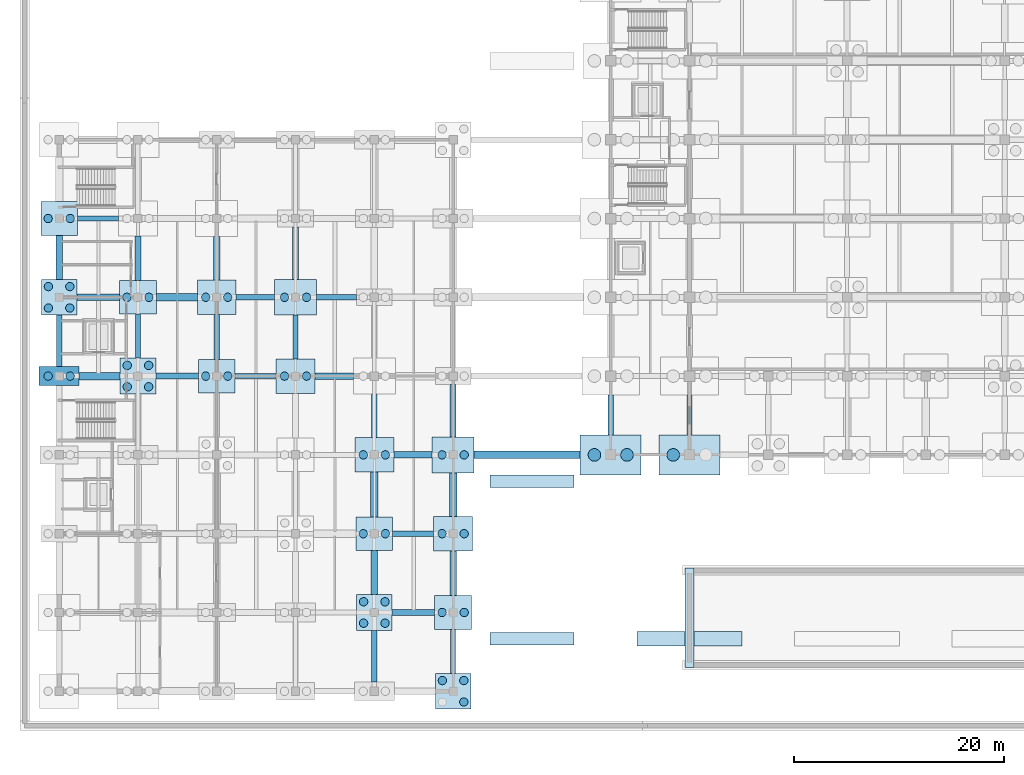
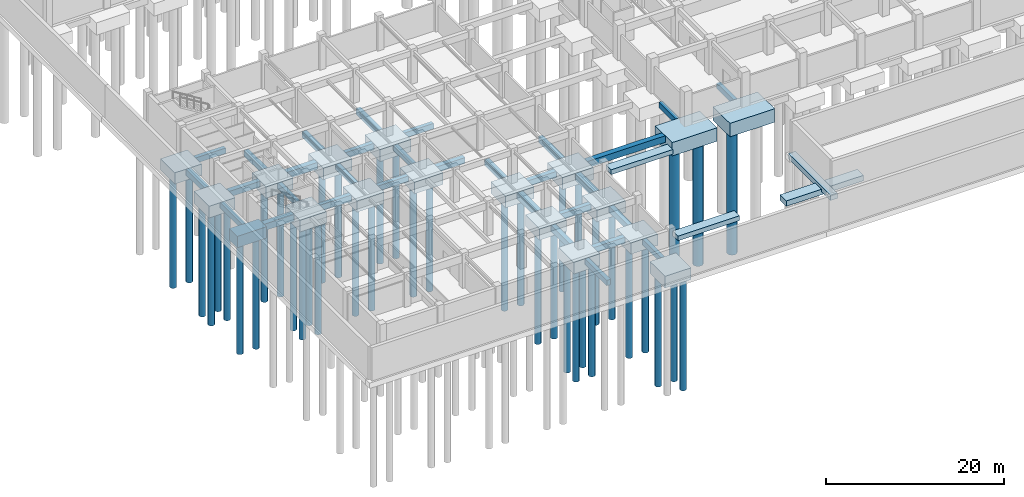
# One storey, part 2 of 38: 53 footings, 42 piles.
"""IFC4 building model written with IfcOpenShell, lengths in metres."""

from ifc_helpers import new_model, si_unit, direction, frame, origin, origin_2d, place, context, subcontext, project, spatial, polyline, rectangle, circle, outline, extrude, material, material_profile, profile_set, type_object, element, save


model = new_model("IFC4")

# Units and contexts
model_context = context("Model", 3, precision=1e-05, world=origin(), true_north=direction((0.0, 1.0)))
body_context = subcontext(model_context, "Body", "Model", "MODEL_VIEW")
ifc_project = project(units=[si_unit("LENGTHUNIT", "METRE"), si_unit("AREAUNIT", "SQUARE_METRE"), si_unit("VOLUMEUNIT", "CUBIC_METRE"), si_unit("PLANEANGLEUNIT", "RADIAN"), si_unit("MASSUNIT", "GRAM", prefix="KILO")], contexts=[model_context])

# Site, building, storey
site_placement = place(None, origin())
site = spatial("IfcSite", under=ifc_project, at=site_placement, CompositionType="ELEMENT")
building_placement = place(site_placement, origin())
building = spatial("IfcBuilding", under=site, at=building_placement, Name="Qasida Concert Hall", CompositionType="ELEMENT")
storey_placement = place(building_placement, frame((0.0, 0.0, -4.800048828125)))
storey = spatial("IfcBuildingStorey", under=building, at=storey_placement, Name="B1", CompositionType="ELEMENT", Elevation=-4.800048828125)

# Footings
ifc_material = material(Name="Concrete C40/50", Category="concrete")
footing_type_1 = type_object("IfcFootingType", Name="FT-GB-1", PredefinedType="FOOTING_BEAM", material=ifc_material)
footing_1_placement = place(storey_placement, frame((0.0, 0.0, -1.169921875)))
element("IfcFooting", 1, at=footing_1_placement, inside=storey, type_object=footing_type_1, Name="Ground tie beam GB-1 048", PredefinedType="FOOTING_BEAM", context=body_context, shape_type="SweptSolid", body=[
    extrude(outline(polyline([(16.75, 29.75), (20.64990234375, 29.75), (20.64990234375, 30.25), (16.75, 30.25), (16.75, 29.75)])), origin(), (0.0, 0.0, 1.0), 0.75),
])
footing_2_placement = place(storey_placement, frame((0.0, 0.0, -1.169921875)))
element("IfcFooting", 2, at=footing_2_placement, inside=storey, type_object=footing_type_1, Name="Ground tie beam GB-1 064", PredefinedType="FOOTING_BEAM", context=body_context, shape_type="SweptSolid", body=[
    extrude(outline(polyline([(24.5, 37.25), (28.300048828125, 37.25), (28.300048828125, 37.75), (24.5, 37.75), (24.5, 37.25)])), origin(), (0.0, 0.0, 1.0), 0.75),
])
footing_3_placement = place(storey_placement, frame((0.0, 0.0, -1.169921875)))
element("IfcFooting", 3, at=footing_3_placement, inside=storey, type_object=footing_type_1, Name="Ground tie beam GB-1 072", PredefinedType="FOOTING_BEAM", context=body_context, shape_type="SweptSolid", body=[
    extrude(outline(polyline([(1.75, 44.75), (5.64990234375, 44.75), (5.64990234375, 45.25), (1.75, 45.25), (1.75, 44.75)])), origin(), (0.0, 0.0, 1.0), 0.75),
])
footing_4_placement = place(storey_placement, frame((0.0, 0.0, -1.169921875)))
element("IfcFooting", 4, at=footing_4_placement, inside=storey, type_object=footing_type_1, Name="Ground tie beam GB-1 188", PredefinedType="FOOTING_BEAM", context=body_context, shape_type="SweptSolid", body=[
    extrude(outline(polyline([(-0.25, 30.89990234375), (0.25, 30.89990234375), (0.25, 35.800048828125), (-0.25, 35.800048828125), (-0.25, 30.89990234375)])), origin(), (0.0, 0.0, 1.0), 0.75),
])
footing_5_placement = place(storey_placement, frame((0.0, 0.0, -1.169921875)))
element("IfcFooting", 5, at=footing_5_placement, inside=storey, type_object=footing_type_1, Name="Ground tie beam GB-1 200", PredefinedType="FOOTING_BEAM", context=body_context, shape_type="SweptSolid", body=[
    extrude(outline(polyline([(7.25, 31.699951171875), (7.75, 31.699951171875), (7.75, 35.89990234375), (7.25, 35.89990234375), (7.25, 31.699951171875)])), origin(), (0.0, 0.0, 1.0), 0.75),
])
footing_6_placement = place(storey_placement, frame((0.0, 0.0, -1.169921875)))
element("IfcFooting", 6, at=footing_6_placement, inside=storey, type_object=footing_type_1, Name="Ground tie beam GB-1 212", PredefinedType="FOOTING_BEAM", context=body_context, shape_type="SweptSolid", body=[
    extrude(outline(polyline([(14.75, 31.60009765625), (15.25, 31.60009765625), (15.25, 35.85009765625), (14.75, 35.85009765625), (14.75, 31.60009765625)])), origin(), (0.0, 0.0, 1.0), 0.75),
])
footing_7_placement = place(storey_placement, frame((0.0, 0.0, -1.169921875)))
element("IfcFooting", 7, at=footing_7_placement, inside=storey, type_object=footing_type_1, Name="Ground tie beam GB-1 224", PredefinedType="FOOTING_BEAM", context=body_context, shape_type="SweptSolid", body=[
    extrude(outline(polyline([(22.25, 31.64990234375), (22.75, 31.64990234375), (22.75, 35.800048828125), (22.25, 35.800048828125), (22.25, 31.64990234375)])), origin(), (0.0, 0.0, 1.0), 0.75),
])
footing_8_placement = place(storey_placement, frame((0.0, 0.0, -1.169921875)))
element("IfcFooting", 8, at=footing_8_placement, inside=storey, type_object=footing_type_1, Name="Ground tie beam GB-1 232", PredefinedType="FOOTING_BEAM", context=body_context, shape_type="SweptSolid", body=[
    extrude(outline(polyline([(29.75, 0.89990234375), (30.25, 0.89990234375), (30.25, 5.800048828125), (29.75, 5.800048828125), (29.75, 0.89990234375)])), origin(), (0.0, 0.0, 1.0), 0.75),
])
footing_9_placement = place(storey_placement, frame((0.0, 0.0, -1.169921875)))
element("IfcFooting", 9, at=footing_9_placement, inside=storey, type_object=footing_type_1, Name="Ground tie beam GB-1 244", PredefinedType="FOOTING_BEAM", context=body_context, shape_type="SweptSolid", body=[
    extrude(outline(polyline([(37.25, 1.699951171875), (37.75, 1.699951171875), (37.75, 5.89990234375), (37.25, 5.89990234375), (37.25, 1.699951171875)])), origin(), (0.0, 0.0, 1.0), 0.75),
])
footing_10_placement = place(storey_placement, frame((0.0, 0.0, -1.169921875)))
element("IfcFooting", 10, at=footing_10_placement, inside=storey, type_object=footing_type_1, Name="Ground tie beam GB-1 256", PredefinedType="FOOTING_BEAM", context=body_context, shape_type="SweptSolid", body=[
    extrude(outline(polyline([(52.25, 24.39990234375), (52.75, 24.39990234375), (52.75, 28.199951171875), (52.25, 28.199951171875), (52.25, 24.39990234375)])), origin(), (0.0, 0.0, 1.0), 0.75),
])
footing_11_placement = place(storey_placement, frame((0.0, 0.0, -1.169921875)))
element("IfcFooting", 11, at=footing_11_placement, inside=storey, type_object=footing_type_1, Name="Ground tie beam GB-1 264", PredefinedType="FOOTING_BEAM", context=body_context, shape_type="SweptSolid", body=[
    extrude(outline(polyline([(59.75, 24.39990234375), (60.25, 24.39990234375), (60.25, 28.199951171875), (59.75, 28.199951171875), (59.75, 24.39990234375)])), origin(), (0.0, 0.0, 1.0), 0.75),
])
footing_type_2 = type_object("IfcFootingType", Name="FT-GB-2", PredefinedType="FOOTING_BEAM", material=ifc_material)
footing_12_placement = place(storey_placement, frame((0.0, 0.0, -1.219970703125)))
element("IfcFooting", 12, at=footing_12_placement, inside=storey, type_object=footing_type_2, Name="Ground tie beam GB-2 013", PredefinedType="FOOTING_BEAM", context=body_context, shape_type="SweptSolid", body=[
    extrude(outline(polyline([(31.699951171875, 7.199951171875), (35.75, 7.199951171875), (35.75, 7.800048828125), (31.699951171875, 7.800048828125), (31.699951171875, 7.199951171875)])), origin(), (0.0, 0.0, 1.0), 0.800048828125),
])
footing_13_placement = place(storey_placement, frame((0.0, 0.0, -1.219970703125)))
element("IfcFooting", 13, at=footing_13_placement, inside=storey, type_object=footing_type_2, Name="Ground tie beam GB-2 033", PredefinedType="FOOTING_BEAM", context=body_context, shape_type="SweptSolid", body=[
    extrude(outline(polyline([(31.85009765625, 22.199951171875), (35.5, 22.199951171875), (35.5, 22.800048828125), (31.85009765625, 22.800048828125), (31.85009765625, 22.199951171875)])), origin(), (0.0, 0.0, 1.0), 0.800048828125),
])
footing_14_placement = place(storey_placement, frame((0.0, 0.0, -1.219970703125)))
element("IfcFooting", 14, at=footing_14_placement, inside=storey, type_object=footing_type_2, Name="Ground tie beam GB-2 049", PredefinedType="FOOTING_BEAM", context=body_context, shape_type="SweptSolid", body=[
    extrude(outline(polyline([(24.35009765625, 29.699951171875), (28.0, 29.699951171875), (28.0, 30.300048828125), (24.35009765625, 30.300048828125), (24.35009765625, 29.699951171875)])), origin(), (0.0, 0.0, 1.0), 0.800048828125),
])
footing_15_placement = place(storey_placement, frame((0.0, 0.0, -1.219970703125)))
element("IfcFooting", 15, at=footing_15_placement, inside=storey, type_object=footing_type_2, Name="Ground tie beam GB-2 061", PredefinedType="FOOTING_BEAM", context=body_context, shape_type="SweptSolid", body=[
    extrude(outline(polyline([(1.699951171875, 37.199951171875), (5.75, 37.199951171875), (5.75, 37.800048828125), (1.699951171875, 37.800048828125), (1.699951171875, 37.199951171875)])), origin(), (0.0, 0.0, 1.0), 0.800048828125),
])
footing_16_placement = place(storey_placement, frame((0.0, 0.0, -1.219970703125)))
element("IfcFooting", 16, at=footing_16_placement, inside=storey, type_object=footing_type_2, Name="Ground tie beam GB-2 189", PredefinedType="FOOTING_BEAM", context=body_context, shape_type="SweptSolid", body=[
    extrude(outline(polyline([(-0.300048828125, 39.199951171875), (0.300048828125, 39.199951171875), (0.300048828125, 43.39990234375), (-0.300048828125, 43.39990234375), (-0.300048828125, 39.199951171875)])), origin(), (0.0, 0.0, 1.0), 0.800048828125),
])
footing_17_placement = place(storey_placement, frame((0.0, 0.0, -1.219970703125)))
element("IfcFooting", 17, at=footing_17_placement, inside=storey, type_object=footing_type_2, Name="Ground tie beam GB-2 201", PredefinedType="FOOTING_BEAM", context=body_context, shape_type="SweptSolid", body=[
    extrude(outline(polyline([(7.199951171875, 39.10009765625), (7.800048828125, 39.10009765625), (7.800048828125, 43.35009765625), (7.199951171875, 43.35009765625), (7.199951171875, 39.10009765625)])), origin(), (0.0, 0.0, 1.0), 0.800048828125),
])
footing_18_placement = place(storey_placement, frame((0.0, 0.0, -1.219970703125)))
element("IfcFooting", 18, at=footing_18_placement, inside=storey, type_object=footing_type_2, Name="Ground tie beam GB-2 213", PredefinedType="FOOTING_BEAM", context=body_context, shape_type="SweptSolid", body=[
    extrude(outline(polyline([(14.699951171875, 39.14990234375), (15.300048828125, 39.14990234375), (15.300048828125, 43.300048828125), (14.699951171875, 43.300048828125), (14.699951171875, 39.14990234375)])), origin(), (0.0, 0.0, 1.0), 0.800048828125),
])
footing_19_placement = place(storey_placement, frame((0.0, 0.0, -1.219970703125)))
element("IfcFooting", 19, at=footing_19_placement, inside=storey, type_object=footing_type_2, Name="Ground tie beam GB-2 225", PredefinedType="FOOTING_BEAM", context=body_context, shape_type="SweptSolid", body=[
    extrude(outline(polyline([(22.199951171875, 39.199951171875), (22.800048828125, 39.199951171875), (22.800048828125, 44.199951171875), (22.199951171875, 44.199951171875), (22.199951171875, 39.199951171875)])), origin(), (0.0, 0.0, 1.0), 0.800048828125),
])
footing_20_placement = place(storey_placement, frame((0.0, 0.0, -1.219970703125)))
element("IfcFooting", 20, at=footing_20_placement, inside=storey, type_object=footing_type_2, Name="Ground tie beam GB-2 233", PredefinedType="FOOTING_BEAM", context=body_context, shape_type="SweptSolid", body=[
    extrude(outline(polyline([(29.699951171875, 9.199951171875), (30.300048828125, 9.199951171875), (30.300048828125, 13.39990234375), (29.699951171875, 13.39990234375), (29.699951171875, 9.199951171875)])), origin(), (0.0, 0.0, 1.0), 0.800048828125),
])
footing_21_placement = place(storey_placement, frame((0.0, 0.0, -1.219970703125)))
element("IfcFooting", 21, at=footing_21_placement, inside=storey, type_object=footing_type_2, Name="Ground tie beam GB-2 245", PredefinedType="FOOTING_BEAM", context=body_context, shape_type="SweptSolid", body=[
    extrude(outline(polyline([(37.199951171875, 9.10009765625), (37.800048828125, 9.10009765625), (37.800048828125, 13.35009765625), (37.199951171875, 13.35009765625), (37.199951171875, 9.10009765625)])), origin(), (0.0, 0.0, 1.0), 0.800048828125),
])
footing_type_3 = type_object("IfcFootingType", Name="FT-GB-3", PredefinedType="FOOTING_BEAM", material=ifc_material)
footing_22_placement = place(storey_placement, frame((0.0, 0.0, -1.320068359375)))
element("IfcFooting", 22, at=footing_22_placement, inside=storey, type_object=footing_type_3, Name="Ground tie beam GB-3 034", PredefinedType="FOOTING_BEAM", context=body_context, shape_type="SweptSolid", body=[
    extrude(outline(polyline([(39.5, 22.14990234375), (49.60009765625, 22.14990234375), (49.60009765625, 22.85009765625), (39.5, 22.85009765625), (39.5, 22.14990234375)])), origin(), (0.0, 0.0, 1.0), 0.900146484375),
])
footing_23_placement = place(storey_placement, frame((0.0, 0.0, -1.320068359375)))
element("IfcFooting", 23, at=footing_23_placement, inside=storey, type_object=footing_type_3, Name="Ground tie beam GB-3 046", PredefinedType="FOOTING_BEAM", context=body_context, shape_type="SweptSolid", body=[
    extrude(outline(polyline([(1.89990234375, 29.64990234375), (5.800048828125, 29.64990234375), (5.800048828125, 30.35009765625), (1.89990234375, 30.35009765625), (1.89990234375, 29.64990234375)])), origin(), (0.0, 0.0, 1.0), 0.900146484375),
])
footing_24_placement = place(storey_placement, frame((0.0, 0.0, -1.320068359375)))
element("IfcFooting", 24, at=footing_24_placement, inside=storey, type_object=footing_type_3, Name="Ground tie beam GB-3 062", PredefinedType="FOOTING_BEAM", context=body_context, shape_type="SweptSolid", body=[
    extrude(outline(polyline([(9.25, 37.14990234375), (13.14990234375, 37.14990234375), (13.14990234375, 37.85009765625), (9.25, 37.85009765625), (9.25, 37.14990234375)])), origin(), (0.0, 0.0, 1.0), 0.900146484375),
])
footing_25_placement = place(storey_placement, frame((0.0, 0.0, -1.320068359375)))
element("IfcFooting", 25, at=footing_25_placement, inside=storey, type_object=footing_type_3, Name="Ground tie beam GB-3 234", PredefinedType="FOOTING_BEAM", context=body_context, shape_type="SweptSolid", body=[
    extrude(outline(polyline([(29.64990234375, 16.60009765625), (30.35009765625, 16.60009765625), (30.35009765625, 20.85009765625), (29.64990234375, 20.85009765625), (29.64990234375, 16.60009765625)])), origin(), (0.0, 0.0, 1.0), 0.900146484375),
])
footing_26_placement = place(storey_placement, frame((0.0, 0.0, -1.320068359375)))
element("IfcFooting", 26, at=footing_26_placement, inside=storey, type_object=footing_type_3, Name="Ground tie beam GB-3 246", PredefinedType="FOOTING_BEAM", context=body_context, shape_type="SweptSolid", body=[
    extrude(outline(polyline([(37.14990234375, 16.64990234375), (37.85009765625, 16.64990234375), (37.85009765625, 20.800048828125), (37.14990234375, 20.800048828125), (37.14990234375, 16.64990234375)])), origin(), (0.0, 0.0, 1.0), 0.900146484375),
])
footing_type_4 = type_object("IfcFootingType", Name="FT-GB-4", PredefinedType="FOOTING_BEAM", material=ifc_material)
footing_27_placement = place(storey_placement, frame((0.0, 0.0, -1.27001953125)))
element("IfcFooting", 27, at=footing_27_placement, inside=storey, type_object=footing_type_4, Name="Ground tie beam GB-4 023", PredefinedType="FOOTING_BEAM", context=body_context, shape_type="SweptSolid", body=[
    extrude(outline(polyline([(31.75, 14.72509765625), (35.64990234375, 14.72509765625), (35.64990234375, 15.27490234375), (31.75, 15.27490234375), (31.75, 14.72509765625)])), origin(), (0.0, 0.0, 1.0), 0.85009765625),
])
footing_28_placement = place(storey_placement, frame((0.0, 0.0, -1.27001953125)))
element("IfcFooting", 28, at=footing_28_placement, inside=storey, type_object=footing_type_4, Name="Ground tie beam GB-4 047", PredefinedType="FOOTING_BEAM", context=body_context, shape_type="SweptSolid", body=[
    extrude(outline(polyline([(9.199951171875, 29.72509765625), (13.25, 29.72509765625), (13.25, 30.27490234375), (9.199951171875, 30.27490234375), (9.199951171875, 29.72509765625)])), origin(), (0.0, 0.0, 1.0), 0.85009765625),
])
footing_29_placement = place(storey_placement, frame((0.0, 0.0, -1.27001953125)))
element("IfcFooting", 29, at=footing_29_placement, inside=storey, type_object=footing_type_4, Name="Ground tie beam GB-4 063", PredefinedType="FOOTING_BEAM", context=body_context, shape_type="SweptSolid", body=[
    extrude(outline(polyline([(16.85009765625, 37.22509765625), (20.5, 37.22509765625), (20.5, 37.77490234375), (16.85009765625, 37.77490234375), (16.85009765625, 37.22509765625)])), origin(), (0.0, 0.0, 1.0), 0.85009765625),
])
footing_30_placement = place(storey_placement, frame((0.0, 0.0, -1.27001953125)))
element("IfcFooting", 30, at=footing_30_placement, inside=storey, type_object=footing_type_4, Name="Ground tie beam GB-4 235", PredefinedType="FOOTING_BEAM", context=body_context, shape_type="SweptSolid", body=[
    extrude(outline(polyline([(29.72509765625, 24.14990234375), (30.27490234375, 24.14990234375), (30.27490234375, 28.300048828125), (29.72509765625, 28.300048828125), (29.72509765625, 24.14990234375)])), origin(), (0.0, 0.0, 1.0), 0.85009765625),
])
footing_31_placement = place(storey_placement, frame((0.0, 0.0, -1.27001953125)))
element("IfcFooting", 31, at=footing_31_placement, inside=storey, type_object=footing_type_4, Name="Ground tie beam GB-4 247", PredefinedType="FOOTING_BEAM", context=body_context, shape_type="SweptSolid", body=[
    extrude(outline(polyline([(37.22509765625, 24.199951171875), (37.77490234375, 24.199951171875), (37.77490234375, 29.199951171875), (37.22509765625, 29.199951171875), (37.22509765625, 24.199951171875)])), origin(), (0.0, 0.0, 1.0), 0.85009765625),
])
footing_type_5 = type_object("IfcFootingType", Name="FT-PC-2E", PredefinedType="PILE_CAP", material=ifc_material)
footing_32_placement = place(storey_placement, frame((0.0, 30.0, -1.97021484375), z_axis=(0.0, 0.0, 1.0), x_axis=(1.0, 0.0, 0.0)))
element("IfcFooting", 32, at=footing_32_placement, inside=storey, type_object=footing_type_5, Name="Pile cap PC-2E 093", PredefinedType="PILE_CAP", context=body_context, shape_type="SweptSolid", body=[
    extrude(rectangle(XDim=3.800048828125, YDim=1.800048828125, at=origin_2d()), origin(), (0.0, 0.0, 1.0), 1.550048828125),
])
footing_type_6 = type_object("IfcFootingType", Name="FT-PC-3B", PredefinedType="PILE_CAP", material=ifc_material)
for number, where, z_axis, x_axis, name in (
    (33, (0.0, 45.0, -1.97021484375), (0.0, 0.0, 1.0), (1.0, 0.0, 0.0), "Pile cap PC-3B 095"),
    (34, (7.5, 37.5, -1.97021484375), (0.0, 0.0, 1.0), (1.0, 0.0, 0.0), "Pile cap PC-3B 102"),
    (35, (15.0, 30.0, -1.97021484375), (0.0, 0.0, 1.0), (1.0, 0.0, 0.0), "Pile cap PC-3B 109"),
    (36, (30.0, 15.0, -1.97021484375), (0.0, 0.0, 1.0), (1.0, 0.0, 0.0), "Pile cap PC-3B 123"),
    (37, (37.5, 7.5, -1.97021484375), (0.0, 0.0, 1.0), (1.0, 0.0, 0.0), "Pile cap PC-3B 130"),
):
    element("IfcFooting", number, at=place(storey_placement, frame(where, z_axis=z_axis, x_axis=x_axis)), inside=storey, type_object=footing_type_6, Name=name, PredefinedType="PILE_CAP", context=body_context, shape_type="SweptSolid", body=[
        extrude(rectangle(XDim=3.5, YDim=3.199951171875, at=origin_2d()), origin(), (0.0, 0.0, 1.0), 1.550048828125),
    ])
footing_type_7 = type_object("IfcFootingType", Name="FT-PC-3C", PredefinedType="PILE_CAP", material=ifc_material)
for number, where, z_axis, x_axis, name in (
    (38, (15.0, 37.5, -2.02001953125), (0.0, 0.0, 1.0), (1.0, 0.0, 0.0), "Pile cap PC-3C 110"),
    (39, (22.5, 30.0, -2.02001953125), (0.0, 0.0, 1.0), (1.0, 0.0, 0.0), "Pile cap PC-3C 117"),
    (40, (30.0, 22.5, -2.02001953125), (0.0, 0.0, 1.0), (1.0, 0.0, 0.0), "Pile cap PC-3C 124"),
    (41, (37.5, 15.0, -2.02001953125), (0.0, 0.0, 1.0), (1.0, 0.0, 0.0), "Pile cap PC-3C 131"),
):
    element("IfcFooting", number, at=place(storey_placement, frame(where, z_axis=z_axis, x_axis=x_axis)), inside=storey, type_object=footing_type_7, Name=name, PredefinedType="PILE_CAP", context=body_context, shape_type="SweptSolid", body=[
        extrude(rectangle(XDim=3.699951171875, YDim=3.300048828125, at=origin_2d()), origin(), (0.0, 0.0, 1.0), 1.60009765625),
    ])
footing_type_8 = type_object("IfcFootingType", Name="FT-PC-4B", PredefinedType="PILE_CAP", material=ifc_material)
for number, where, z_axis, x_axis, name in (
    (42, (0.0, 37.5, -2.02001953125), (0.0, 0.0, 1.0), (1.0, 0.0, 0.0), "Pile cap PC-4B 094"),
    (43, (7.5, 30.0, -2.02001953125), (0.0, 0.0, 1.0), (1.0, 0.0, 0.0), "Pile cap PC-4B 101"),
    (44, (30.0, 7.5, -2.02001953125), (0.0, 0.0, 1.0), (1.0, 0.0, 0.0), "Pile cap PC-4B 122"),
    (45, (37.5, 0.0, -2.02001953125), (0.0, 0.0, 1.0), (1.0, 0.0, 0.0), "Pile cap PC-4B 129"),
):
    element("IfcFooting", number, at=place(storey_placement, frame(where, z_axis=z_axis, x_axis=x_axis)), inside=storey, type_object=footing_type_8, Name=name, PredefinedType="PILE_CAP", context=body_context, shape_type="SweptSolid", body=[
        extrude(rectangle(XDim=3.39990234375, YDim=3.39990234375, at=origin_2d()), origin(), (0.0, 0.0, 1.0), 1.60009765625),
    ])
footing_type_9 = type_object("IfcFootingType", Name="FT-PC-4E", PredefinedType="PILE_CAP", material=ifc_material)
for number, where, z_axis, x_axis, name in (
    (46, (22.5, 37.5, -2.06982421875), (0.0, 0.0, 1.0), (1.0, 0.0, 0.0), "Pile cap PC-4E 118"),
    (47, (37.5, 22.5, -2.06982421875), (0.0, 0.0, 1.0), (1.0, 0.0, 0.0), "Pile cap PC-4E 132"),
):
    element("IfcFooting", number, at=place(storey_placement, frame(where, z_axis=z_axis, x_axis=x_axis)), inside=storey, type_object=footing_type_9, Name=name, PredefinedType="PILE_CAP", context=body_context, shape_type="SweptSolid", body=[
        extrude(rectangle(XDim=4.0, YDim=3.39990234375, at=origin_2d()), origin(), (0.0, 0.0, 1.0), 1.64990234375),
    ])
footing_type_10 = type_object("IfcFootingType", Name="FT-PC-6B", PredefinedType="PILE_CAP", material=ifc_material)
for number, where, z_axis, x_axis, name in (
    (48, (52.5, 22.5, -2.27001953125), (0.0, 0.0, 1.0), (1.0, 0.0, 0.0), "Pile cap PC-6B 001"),
    (49, (60.0, 22.5, -2.27001953125), (0.0, 0.0, 1.0), (1.0, 0.0, 0.0), "Pile cap PC-6B 010"),
):
    element("IfcFooting", number, at=place(storey_placement, frame(where, z_axis=z_axis, x_axis=x_axis)), inside=storey, type_object=footing_type_10, Name=name, PredefinedType="PILE_CAP", context=body_context, shape_type="SweptSolid", body=[
        extrude(rectangle(XDim=5.800048828125, YDim=3.800048828125, at=origin_2d()), origin(), (0.0, 0.0, 1.0), 1.85009765625),
    ])
footing_type_11 = type_object("IfcFootingType", Name="FT-SF-1", PredefinedType="STRIP_FOOTING", material=ifc_material)
footing_33_placement = place(storey_placement, frame((0.0, 0.0, -1.070068359375)))
element("IfcFooting", 50, at=footing_33_placement, inside=storey, type_object=footing_type_11, Name="Strip footing SF-1 01", PredefinedType="STRIP_FOOTING", context=body_context, shape_type="SweptSolid", body=[
    extrude(outline(polyline([(41.0, 4.39990234375), (49.0, 4.39990234375), (49.0, 5.60009765625), (41.0, 5.60009765625), (41.0, 4.39990234375)])), origin(), (0.0, 0.0, 1.0), 0.650146484375),
])
footing_34_placement = place(storey_placement, frame((0.0, 0.0, -1.070068359375)))
element("IfcFooting", 51, at=footing_34_placement, inside=storey, type_object=footing_type_11, Name="Strip footing SF-1 02", PredefinedType="STRIP_FOOTING", context=body_context, shape_type="SweptSolid", body=[
    extrude(outline(polyline([(41.0, 19.39990234375), (49.0, 19.39990234375), (49.0, 20.60009765625), (41.0, 20.60009765625), (41.0, 19.39990234375)])), origin(), (0.0, 0.0, 1.0), 0.650146484375),
])
footing_type_12 = type_object("IfcFootingType", Name="FT-SF-2", PredefinedType="STRIP_FOOTING", material=ifc_material)
footing_35_placement = place(storey_placement, frame((0.0, 0.0, -1.169921875)))
element("IfcFooting", 52, at=footing_35_placement, inside=storey, type_object=footing_type_12, Name="Strip footing SF-2 03", PredefinedType="STRIP_FOOTING", context=body_context, shape_type="SweptSolid", body=[
    extrude(outline(polyline([(55.0, 4.300048828125), (65.0, 4.300048828125), (65.0, 5.699951171875), (55.0, 5.699951171875), (55.0, 4.300048828125)])), origin(), (0.0, 0.0, 1.0), 0.75),
])
footing_type_13 = type_object("IfcFootingType", Name="FT-SF-2A", PredefinedType="STRIP_FOOTING", material=ifc_material)
footing_36_placement = place(storey_placement, frame((0.0, 0.0, -0.75)))
element("IfcFooting", 53, at=footing_36_placement, inside=storey, type_object=footing_type_13, Name="B1 plaza plinth strip footing MFW-W", PredefinedType="STRIP_FOOTING", context=body_context, shape_type="SweptSolid", body=[
    extrude(outline(polyline([(59.550048828125, 2.27490234375), (60.449951171875, 2.27490234375), (60.449951171875, 11.72509765625), (59.550048828125, 11.72509765625), (59.550048828125, 2.27490234375)])), origin(), (0.0, 0.0, 1.0), 0.75),
])

# Piles
ifc_material_profile_1 = material_profile(ifc_material, circle(Radius=0.60009765625, at=origin_2d()), Name="BORED PILE D1200")
ifc_profile_set_1 = profile_set([ifc_material_profile_1], Name="Concrete C40/50")
pile_type_1 = type_object("IfcPileType", Name="PL-BORED-1200", PredefinedType="BORED", material=ifc_profile_set_1)
for number, where, z_axis, x_axis, name in (
    (54, (50.949951171875, 22.5, -2.169921875), (0.0, 0.0, -1.0), (1.0, 0.0, 0.0), "Bored pile 0001"),
    (55, (54.050048828125, 22.5, -2.169921875), (0.0, 0.0, -1.0), (1.0, 0.0, 0.0), "Bored pile 0002"),
    (56, (58.449951171875, 22.5, -2.169921875), (0.0, 0.0, -1.0), (1.0, 0.0, 0.0), "Bored pile 0019"),
):
    element("IfcPile", number, at=place(storey_placement, frame(where, z_axis=z_axis, x_axis=x_axis)), inside=storey, type_object=pile_type_1, Name=name, PredefinedType="BORED", context=body_context, shape_type="SweptSolid", body=[
        extrude(circle(Radius=0.60009765625, at=origin_2d()), origin(), (0.0, 0.0, 1.0), 17.530029296875),
    ])
ifc_material_profile_2 = material_profile(ifc_material, circle(Radius=0.39990234375, at=origin_2d()), Name="BORED PILE D800")
ifc_profile_set_2 = profile_set([ifc_material_profile_2], Name="Concrete C40/50")
pile_type_2 = type_object("IfcPileType", Name="PL-BORED-800", PredefinedType="BORED", material=ifc_profile_set_2)
for number, where, z_axis, x_axis, name in (
    (57, (-1.050048828125, 30.0, -1.869873046875), (0.0, 0.0, -1.0), (1.0, 0.0, 0.0), "Bored pile 0211"),
    (58, (1.050048828125, 30.0, -1.869873046875), (0.0, 0.0, -1.0), (1.0, 0.0, 0.0), "Bored pile 0212"),
):
    element("IfcPile", number, at=place(storey_placement, frame(where, z_axis=z_axis, x_axis=x_axis)), inside=storey, type_object=pile_type_2, Name=name, PredefinedType="BORED", context=body_context, shape_type="SweptSolid", body=[
        extrude(circle(Radius=0.39990234375, at=origin_2d()), origin(), (0.0, 0.0, 1.0), 15.330078125),
    ])
for number, where, z_axis, x_axis, name in (
    (59, (-1.02001953125, 36.47998046875, -1.919921875), (0.0, 0.0, -1.0), (1.0, 0.0, 0.0), "Bored pile 0213"),
    (60, (1.02001953125, 36.47998046875, -1.919921875), (0.0, 0.0, -1.0), (1.0, 0.0, 0.0), "Bored pile 0214"),
    (61, (-1.02001953125, 38.52001953125, -1.919921875), (0.0, 0.0, -1.0), (1.0, 0.0, 0.0), "Bored pile 0215"),
    (62, (1.02001953125, 38.52001953125, -1.919921875), (0.0, 0.0, -1.0), (1.0, 0.0, 0.0), "Bored pile 0216"),
):
    element("IfcPile", number, at=place(storey_placement, frame(where, z_axis=z_axis, x_axis=x_axis)), inside=storey, type_object=pile_type_2, Name=name, PredefinedType="BORED", context=body_context, shape_type="SweptSolid", body=[
        extrude(circle(Radius=0.39990234375, at=origin_2d()), origin(), (0.0, 0.0, 1.0), 15.280029296875),
    ])
for number, where, z_axis, x_axis, name in (
    (63, (-1.050048828125, 45.0, -1.869873046875), (0.0, 0.0, -1.0), (1.0, 0.0, 0.0), "Bored pile 0217"),
    (64, (1.050048828125, 45.0, -1.869873046875), (0.0, 0.0, -1.0), (1.0, 0.0, 0.0), "Bored pile 0218"),
):
    element("IfcPile", number, at=place(storey_placement, frame(where, z_axis=z_axis, x_axis=x_axis)), inside=storey, type_object=pile_type_2, Name=name, PredefinedType="BORED", context=body_context, shape_type="SweptSolid", body=[
        extrude(circle(Radius=0.39990234375, at=origin_2d()), origin(), (0.0, 0.0, 1.0), 15.330078125),
    ])
for number, where, z_axis, x_axis, name in (
    (65, (6.47998046875, 28.97998046875, -1.919921875), (0.0, 0.0, -1.0), (1.0, 0.0, 0.0), "Bored pile 0229"),
    (66, (8.52001953125, 28.97998046875, -1.919921875), (0.0, 0.0, -1.0), (1.0, 0.0, 0.0), "Bored pile 0230"),
    (67, (6.47998046875, 31.02001953125, -1.919921875), (0.0, 0.0, -1.0), (1.0, 0.0, 0.0), "Bored pile 0231"),
    (68, (8.52001953125, 31.02001953125, -1.919921875), (0.0, 0.0, -1.0), (1.0, 0.0, 0.0), "Bored pile 0232"),
):
    element("IfcPile", number, at=place(storey_placement, frame(where, z_axis=z_axis, x_axis=x_axis)), inside=storey, type_object=pile_type_2, Name=name, PredefinedType="BORED", context=body_context, shape_type="SweptSolid", body=[
        extrude(circle(Radius=0.39990234375, at=origin_2d()), origin(), (0.0, 0.0, 1.0), 15.280029296875),
    ])
for number, where, z_axis, x_axis, name in (
    (69, (6.449951171875, 37.5, -1.869873046875), (0.0, 0.0, -1.0), (1.0, 0.0, 0.0), "Bored pile 0233"),
    (70, (8.550048828125, 37.5, -1.869873046875), (0.0, 0.0, -1.0), (1.0, 0.0, 0.0), "Bored pile 0234"),
    (71, (13.949951171875, 30.0, -1.869873046875), (0.0, 0.0, -1.0), (1.0, 0.0, 0.0), "Bored pile 0249"),
    (72, (16.050048828125, 30.0, -1.869873046875), (0.0, 0.0, -1.0), (1.0, 0.0, 0.0), "Bored pile 0250"),
):
    element("IfcPile", number, at=place(storey_placement, frame(where, z_axis=z_axis, x_axis=x_axis)), inside=storey, type_object=pile_type_2, Name=name, PredefinedType="BORED", context=body_context, shape_type="SweptSolid", body=[
        extrude(circle(Radius=0.39990234375, at=origin_2d()), origin(), (0.0, 0.0, 1.0), 15.330078125),
    ])
for number, where, z_axis, x_axis, name in (
    (73, (13.949951171875, 37.5, -1.919921875), (0.0, 0.0, -1.0), (1.0, 0.0, 0.0), "Bored pile 0251"),
    (74, (16.050048828125, 37.5, -1.919921875), (0.0, 0.0, -1.0), (1.0, 0.0, 0.0), "Bored pile 0252"),
    (75, (21.449951171875, 30.0, -1.919921875), (0.0, 0.0, -1.0), (1.0, 0.0, 0.0), "Bored pile 0267"),
    (76, (23.550048828125, 30.0, -1.919921875), (0.0, 0.0, -1.0), (1.0, 0.0, 0.0), "Bored pile 0268"),
):
    element("IfcPile", number, at=place(storey_placement, frame(where, z_axis=z_axis, x_axis=x_axis)), inside=storey, type_object=pile_type_2, Name=name, PredefinedType="BORED", context=body_context, shape_type="SweptSolid", body=[
        extrude(circle(Radius=0.39990234375, at=origin_2d()), origin(), (0.0, 0.0, 1.0), 15.280029296875),
    ])
for number, where, z_axis, x_axis, name in (
    (77, (21.449951171875, 37.5, -1.969970703125), (0.0, 0.0, -1.0), (1.0, 0.0, 0.0), "Bored pile 0269"),
    (78, (23.550048828125, 37.5, -1.969970703125), (0.0, 0.0, -1.0), (1.0, 0.0, 0.0), "Bored pile 0270"),
):
    element("IfcPile", number, at=place(storey_placement, frame(where, z_axis=z_axis, x_axis=x_axis)), inside=storey, type_object=pile_type_2, Name=name, PredefinedType="BORED", context=body_context, shape_type="SweptSolid", body=[
        extrude(circle(Radius=0.39990234375, at=origin_2d()), origin(), (0.0, 0.0, 1.0), 15.22998046875),
    ])
for number, where, z_axis, x_axis, name in (
    (79, (28.97998046875, 6.47998046875, -1.919921875), (0.0, 0.0, -1.0), (1.0, 0.0, 0.0), "Bored pile 0277"),
    (80, (31.02001953125, 6.47998046875, -1.919921875), (0.0, 0.0, -1.0), (1.0, 0.0, 0.0), "Bored pile 0278"),
    (81, (28.97998046875, 8.52001953125, -1.919921875), (0.0, 0.0, -1.0), (1.0, 0.0, 0.0), "Bored pile 0279"),
    (82, (31.02001953125, 8.52001953125, -1.919921875), (0.0, 0.0, -1.0), (1.0, 0.0, 0.0), "Bored pile 0280"),
):
    element("IfcPile", number, at=place(storey_placement, frame(where, z_axis=z_axis, x_axis=x_axis)), inside=storey, type_object=pile_type_2, Name=name, PredefinedType="BORED", context=body_context, shape_type="SweptSolid", body=[
        extrude(circle(Radius=0.39990234375, at=origin_2d()), origin(), (0.0, 0.0, 1.0), 15.280029296875),
    ])
for number, where, z_axis, x_axis, name in (
    (83, (28.949951171875, 15.0, -1.869873046875), (0.0, 0.0, -1.0), (1.0, 0.0, 0.0), "Bored pile 0281"),
    (84, (31.050048828125, 15.0, -1.869873046875), (0.0, 0.0, -1.0), (1.0, 0.0, 0.0), "Bored pile 0282"),
):
    element("IfcPile", number, at=place(storey_placement, frame(where, z_axis=z_axis, x_axis=x_axis)), inside=storey, type_object=pile_type_2, Name=name, PredefinedType="BORED", context=body_context, shape_type="SweptSolid", body=[
        extrude(circle(Radius=0.39990234375, at=origin_2d()), origin(), (0.0, 0.0, 1.0), 15.330078125),
    ])
for number, where, z_axis, x_axis, name in (
    (85, (28.949951171875, 22.5, -1.919921875), (0.0, 0.0, -1.0), (1.0, 0.0, 0.0), "Bored pile 0283"),
    (86, (31.050048828125, 22.5, -1.919921875), (0.0, 0.0, -1.0), (1.0, 0.0, 0.0), "Bored pile 0284"),
    (87, (38.52001953125, -1.02001953125, -1.919921875), (0.0, 0.0, -1.0), (1.0, 0.0, 0.0), "Bored pile 0294"),
    (88, (36.47998046875, 1.02001953125, -1.919921875), (0.0, 0.0, -1.0), (1.0, 0.0, 0.0), "Bored pile 0295"),
    (89, (38.52001953125, 1.02001953125, -1.919921875), (0.0, 0.0, -1.0), (1.0, 0.0, 0.0), "Bored pile 0296"),
):
    element("IfcPile", number, at=place(storey_placement, frame(where, z_axis=z_axis, x_axis=x_axis)), inside=storey, type_object=pile_type_2, Name=name, PredefinedType="BORED", context=body_context, shape_type="SweptSolid", body=[
        extrude(circle(Radius=0.39990234375, at=origin_2d()), origin(), (0.0, 0.0, 1.0), 15.280029296875),
    ])
for number, where, z_axis, x_axis, name in (
    (90, (36.449951171875, 7.5, -1.869873046875), (0.0, 0.0, -1.0), (1.0, 0.0, 0.0), "Bored pile 0297"),
    (91, (38.550048828125, 7.5, -1.869873046875), (0.0, 0.0, -1.0), (1.0, 0.0, 0.0), "Bored pile 0298"),
):
    element("IfcPile", number, at=place(storey_placement, frame(where, z_axis=z_axis, x_axis=x_axis)), inside=storey, type_object=pile_type_2, Name=name, PredefinedType="BORED", context=body_context, shape_type="SweptSolid", body=[
        extrude(circle(Radius=0.39990234375, at=origin_2d()), origin(), (0.0, 0.0, 1.0), 15.330078125),
    ])
for number, where, z_axis, x_axis, name in (
    (92, (36.449951171875, 15.0, -1.919921875), (0.0, 0.0, -1.0), (1.0, 0.0, 0.0), "Bored pile 0299"),
    (93, (38.550048828125, 15.0, -1.919921875), (0.0, 0.0, -1.0), (1.0, 0.0, 0.0), "Bored pile 0300"),
):
    element("IfcPile", number, at=place(storey_placement, frame(where, z_axis=z_axis, x_axis=x_axis)), inside=storey, type_object=pile_type_2, Name=name, PredefinedType="BORED", context=body_context, shape_type="SweptSolid", body=[
        extrude(circle(Radius=0.39990234375, at=origin_2d()), origin(), (0.0, 0.0, 1.0), 15.280029296875),
    ])
for number, where, z_axis, x_axis, name in (
    (94, (36.449951171875, 22.5, -1.969970703125), (0.0, 0.0, -1.0), (1.0, 0.0, 0.0), "Bored pile 0301"),
    (95, (38.550048828125, 22.5, -1.969970703125), (0.0, 0.0, -1.0), (1.0, 0.0, 0.0), "Bored pile 0302"),
):
    element("IfcPile", number, at=place(storey_placement, frame(where, z_axis=z_axis, x_axis=x_axis)), inside=storey, type_object=pile_type_2, Name=name, PredefinedType="BORED", context=body_context, shape_type="SweptSolid", body=[
        extrude(circle(Radius=0.39990234375, at=origin_2d()), origin(), (0.0, 0.0, 1.0), 15.22998046875),
    ])

save(model, "model.ifc")
